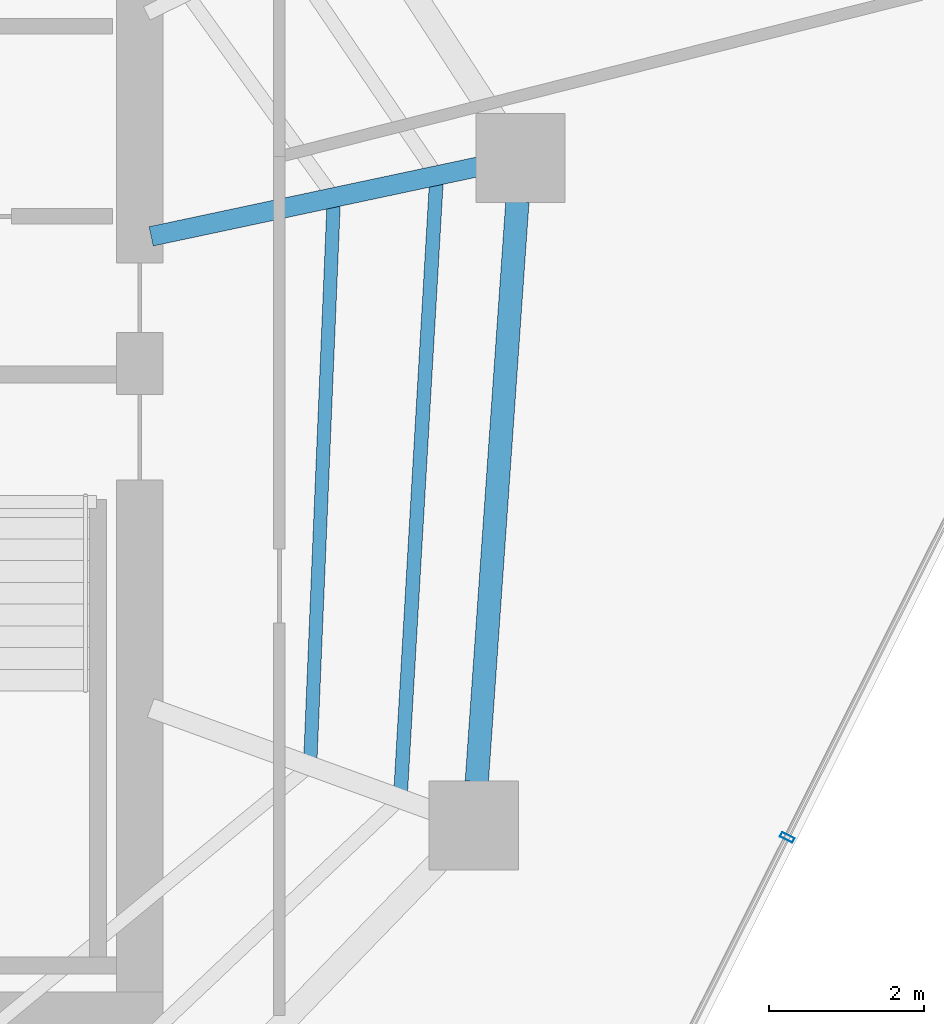
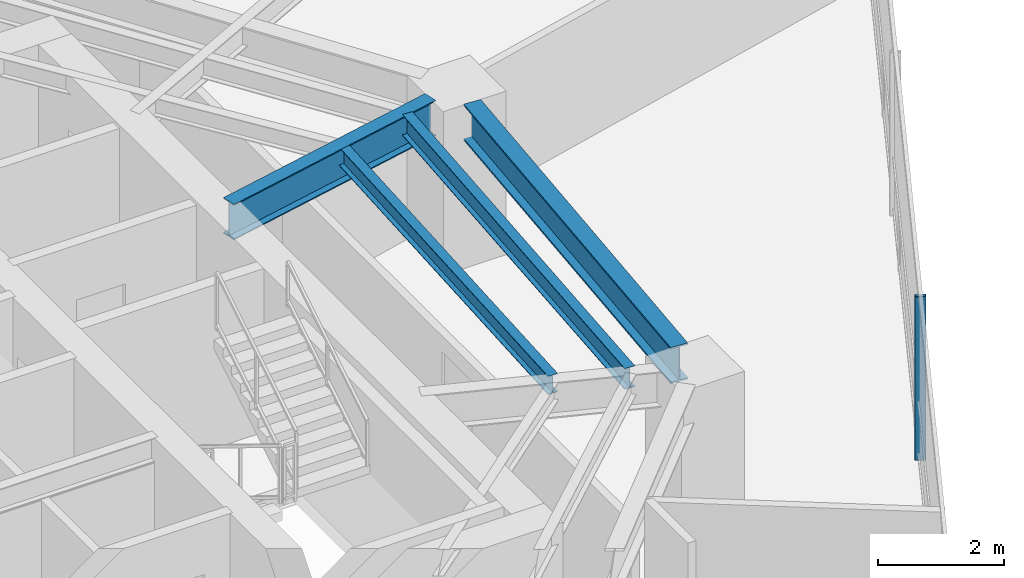
# One storey, part 13 of 30: 4 beams, 1 member, 1 element without a shape of its own.
"""IFC4 building model written with IfcOpenShell, lengths in metres."""

from ifc_helpers import new_model, si_unit, direction, frame, origin, origin_2d, place, context, subcontext, project, spatial, hollow_rectangle, i_section, extrude, material, layer, layer_set, material_profile, profile_set, type_object, element, aggregate, save


model = new_model("IFC4")

# Units and contexts
model_context = context("Model", 3, precision=1e-05, world=origin(), true_north=direction((0.0, 1.0)))
body_context = subcontext(model_context, "Body", "Model", "MODEL_VIEW")
ifc_project = project(units=[si_unit("LENGTHUNIT", "METRE"), si_unit("AREAUNIT", "SQUARE_METRE"), si_unit("VOLUMEUNIT", "CUBIC_METRE"), si_unit("PLANEANGLEUNIT", "RADIAN"), si_unit("MASSUNIT", "GRAM", prefix="KILO")], contexts=[model_context])

# Site, building, storey
site_placement = place(None, origin())
site = spatial("IfcSite", under=ifc_project, at=site_placement, CompositionType="ELEMENT")
building_placement = place(site_placement, origin())
building = spatial("IfcBuilding", under=site, at=building_placement, Name="Qarnah Convention Tower", CompositionType="ELEMENT")
storey_placement = place(building_placement, frame((0.0, 0.0, 79.800048828125)))
storey = spatial("IfcBuildingStorey", under=building, at=storey_placement, Name="L20", CompositionType="ELEMENT", Elevation=79.800048828125)

# Beams
ifc_material_1 = material(Name="Structural steel S355JR", Category="steel")
ifc_material_profile_1 = material_profile(ifc_material_1, i_section(OverallWidth=0.172119140625, OverallDepth=0.35595703125, WebThickness=0.007080078125, FlangeThickness=0.011962890625, at=origin_2d()), Name="W360X51")
ifc_profile_set_1 = profile_set([ifc_material_profile_1], Name="Structural steel S355JR")
beam_type_1 = type_object("IfcBeamType", Name="BM-JST-W360", PredefinedType="JOIST", material=ifc_profile_set_1)
beam_1_placement = place(storey_placement, frame((49.800048828125, 21.905029296875, 2.991943359375), z_axis=(0.04180371464, 0.999125842646, 0.0), x_axis=(-0.999125842646, 0.04180371464, 0.0)))
element("IfcBeam", 1, at=beam_1_placement, inside=storey, type_object=beam_type_1, Name="L20 joist BM-L20-IJST-09", PredefinedType="JOIST", context=body_context, shape_type="SweptSolid", body=[
    extrude(i_section(OverallWidth=0.172119140625, OverallDepth=0.35595703125, WebThickness=0.007080078125, FlangeThickness=0.011962890625, at=origin_2d()), origin(), (0.0, 0.0, 1.0), 7.154296875),
])
ifc_material_profile_2 = material_profile(ifc_material_1, i_section(OverallWidth=0.177978515625, OverallDepth=0.407958984375, WebThickness=0.008056640625, FlangeThickness=0.012939453125, at=origin_2d()), Name="W410X60")
ifc_profile_set_2 = profile_set([ifc_material_profile_2], Name="Structural steel S355JR")
beam_type_2 = type_object("IfcBeamType", Name="BM-JST-W410", PredefinedType="JOIST", material=ifc_profile_set_2)
beam_2_placement = place(storey_placement, frame((50.964111328125, 21.48193359375, 2.966064453125), z_axis=(0.058347234221, 0.998296348916, 0.0), x_axis=(-0.998296348916, 0.058347234221, 0.0)))
element("IfcBeam", 2, at=beam_2_placement, inside=storey, type_object=beam_type_2, Name="L20 joist BM-L20-SJST-09", PredefinedType="JOIST", context=body_context, shape_type="SweptSolid", body=[
    extrude(i_section(OverallWidth=0.177978515625, OverallDepth=0.407958984375, WebThickness=0.008056640625, FlangeThickness=0.012939453125, at=origin_2d()), origin(), (0.0, 0.0, 1.0), 7.866455078125),
])
ifc_material_profile_3 = material_profile(ifc_material_1, i_section(OverallWidth=0.25390625, OverallDepth=0.68798828125, WebThickness=0.012939453125, FlangeThickness=0.02099609375, at=origin_2d()), Name="W690X152")
ifc_profile_set_3 = profile_set([ifc_material_profile_3], Name="Structural steel S355JR")
beam_type_3 = type_object("IfcBeamType", Name="BM-RAD-W690", PredefinedType="BEAM", material=ifc_profile_set_3)
beam_3_placement = place(storey_placement, frame((47.7470703125, 28.64208984375, 2.825927734375), z_axis=(0.978128480765, 0.20800162287, 0.0), x_axis=(-0.20800162287, 0.978128480765, 0.0)))
element("IfcBeam", 3, at=beam_3_placement, inside=storey, type_object=beam_type_3, Name="L20 beam BM-L20-RAD-01", PredefinedType="BEAM", context=body_context, shape_type="SweptSolid", body=[
    extrude(i_section(OverallWidth=0.25390625, OverallDepth=0.68798828125, WebThickness=0.012939453125, FlangeThickness=0.02099609375, at=origin_2d()), origin(), (0.0, 0.0, 1.0), 4.312255859375),
])
ifc_material_profile_4 = material_profile(ifc_material_1, i_section(OverallWidth=0.300048828125, OverallDepth=0.699951171875, WebThickness=0.01708984375, FlangeThickness=0.031982421875, at=origin_2d()), Name="HEB700")
ifc_profile_set_4 = profile_set([ifc_material_profile_4], Name="Structural steel S355JR")
beam_type_4 = type_object("IfcBeamType", Name="BM-RING-HEB700", PredefinedType="BEAM", material=ifc_profile_set_4)
beam_4_placement = place(storey_placement, frame((51.945068359375, 21.611083984375, 2.820068359375), z_axis=(0.069881623509, 0.997555291047, 0.0), x_axis=(-0.997555291047, 0.069881623509, 0.0)))
element("IfcBeam", 4, at=beam_4_placement, inside=storey, type_object=beam_type_4, Name="L20 beam BM-L20-SPN-09", PredefinedType="BEAM", context=body_context, shape_type="SweptSolid", body=[
    extrude(i_section(OverallWidth=0.300048828125, OverallDepth=0.699951171875, WebThickness=0.01708984375, FlangeThickness=0.031982421875, at=origin_2d()), origin(), (0.0, 0.0, 1.0), 7.497314453125),
])

# Curtain wall, member
ifc_material_2 = material(Name="Tempered Low-E dark glass", Category="glass")
ifc_layer = layer(ifc_material_2, 0.169921875)
ifc_layer_set = layer_set([ifc_layer], Name="Tempered Low-E dark glass")
curtain_wall_type = type_object("IfcCurtainWallType", Name="CWS-02", PredefinedType="NOTDEFINED", material=ifc_layer_set)
curtain_wall_placement = place(storey_placement, origin())
curtain_wall = element("IfcCurtainWall", 5, at=curtain_wall_placement, inside=storey, type_object=curtain_wall_type, Name="L20 unitised curtain wall CW-L20-F2", PredefinedType="NOTDEFINED")
ifc_material_3 = material(Name="Black anodised aluminium", Category="aluminium")
ifc_material_profile_5 = material_profile(ifc_material_3, hollow_rectangle(XDim=0.06494140625, YDim=0.179931640625, WallThickness=0.00390625, at=origin_2d()), Name="MUL-65X180")
ifc_profile_set_5 = profile_set([ifc_material_profile_5], Name="Black anodised aluminium")
member_type = type_object("IfcMemberType", Name="MUL-T2", PredefinedType="MULLION", material=ifc_profile_set_5)
member_placement = place(storey_placement, frame((55.947265625, 20.892333984375, 0.0), z_axis=(0.0, 0.0, 1.0), x_axis=(-0.44839497881, -0.893835523448, 0.0)))
member = element("IfcMember", 6, at=member_placement, type_object=member_type, Name="CW-L20-F2 mullion 3", PredefinedType="MULLION", context=body_context, shape_type="SweptSolid", body=[
    extrude(hollow_rectangle(XDim=0.06494140625, YDim=0.179931640625, WallThickness=0.00390625, at=origin_2d()), origin(), (0.0, 0.0, 1.0), 3.169921875),
])
aggregate(curtain_wall, [member])

save(model, "model.ifc")
